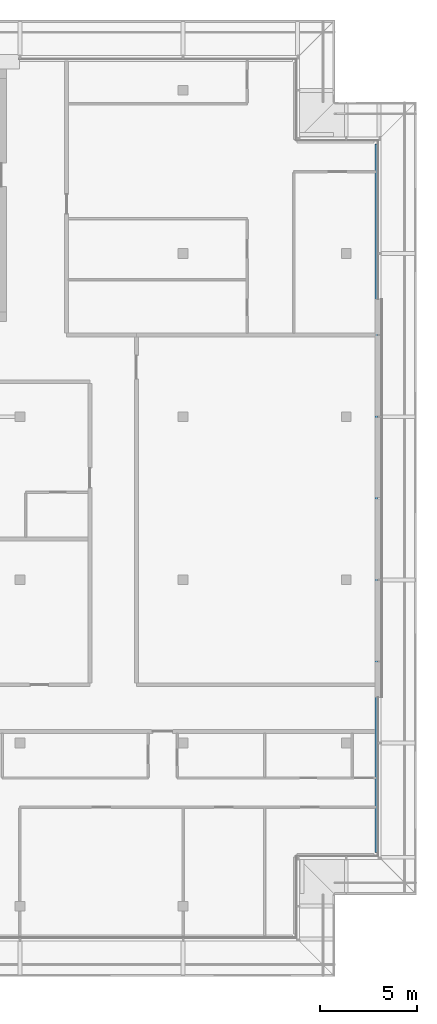
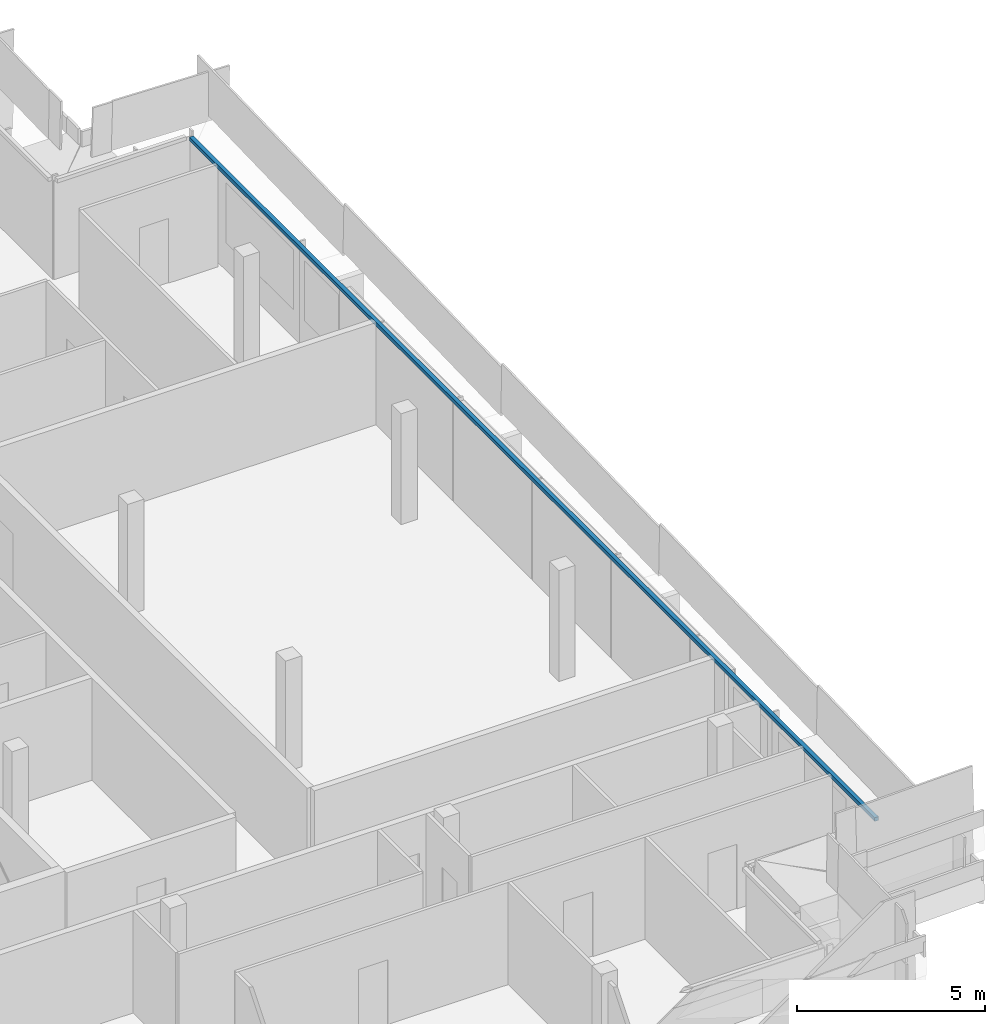
# One storey, part 13 of 33: 1 member, 1 element without a shape of its own.
"""IFC4 building model written with IfcOpenShell, lengths in metres."""

from ifc_helpers import new_model, si_unit, direction, frame, origin, origin_2d, place, context, subcontext, project, spatial, rectangle, extrude, material, material_profile, profile_set, type_object, element, aggregate, save


model = new_model("IFC4")

# Units and contexts
model_context = context("Model", 3, precision=1e-05, world=origin(), true_north=direction((0.0, 1.0)))
body_context = subcontext(model_context, "Body", "Model", "MODEL_VIEW")
ifc_project = project(units=[si_unit("LENGTHUNIT", "METRE"), si_unit("AREAUNIT", "SQUARE_METRE"), si_unit("VOLUMEUNIT", "CUBIC_METRE"), si_unit("PLANEANGLEUNIT", "RADIAN"), si_unit("MASSUNIT", "GRAM", prefix="KILO")], contexts=[model_context])

# Site, building, storey
site_placement = place(None, origin())
site = spatial("IfcSite", under=ifc_project, at=site_placement, CompositionType="ELEMENT")
building_placement = place(site_placement, origin())
building = spatial("IfcBuilding", under=site, at=building_placement, Name="Saffron Gate Tower", CompositionType="ELEMENT")
storey_placement = place(building_placement, frame((0.0, 0.0, 263.550048828125)))
storey = spatial("IfcBuildingStorey", under=building, at=storey_placement, Name="L63", CompositionType="ELEMENT", Elevation=263.550048828125)

# Curtain wall, member
ifc_material = material(Name="Aluminium, bronze anodised", Category="aluminium")
curtain_wall_type = type_object("IfcCurtainWallType", Name="CWS2 curtain wall side facades", PredefinedType="NOTDEFINED", material=ifc_material)
curtain_wall_placement = place(storey_placement, origin())
curtain_wall = element("IfcCurtainWall", 1, at=curtain_wall_placement, inside=storey, type_object=curtain_wall_type, Name="CWS2 run 4", PredefinedType="NOTDEFINED")
ifc_material_profile = material_profile(ifc_material, rectangle(XDim=0.1201171875, YDim=0.1201171875, at=origin_2d()))
ifc_profile_set = profile_set([ifc_material_profile], Name="Aluminium, bronze anodised")
member_type = type_object("IfcMemberType", Name="CWS2 head transom", PredefinedType="USERDEFINED", material=ifc_profile_set)
member_placement = place(storey_placement, frame((126.951904296875, 34.568115234375, 3.260009765625), z_axis=(0.0, 1.0, 0.0), x_axis=(-1.0, 0.0, 0.0)))
member = element("IfcMember", 2, at=member_placement, type_object=member_type, Name="CWS2 head transom", ObjectType="TRANSOM", PredefinedType="USERDEFINED", context=body_context, shape_type="SweptSolid", body=[
    extrude(rectangle(XDim=0.1201171875, YDim=0.1201171875, at=origin_2d()), origin(), (0.0, 0.0, 1.0), 36.4638671875),
])
aggregate(curtain_wall, [member])

save(model, "model.ifc")
